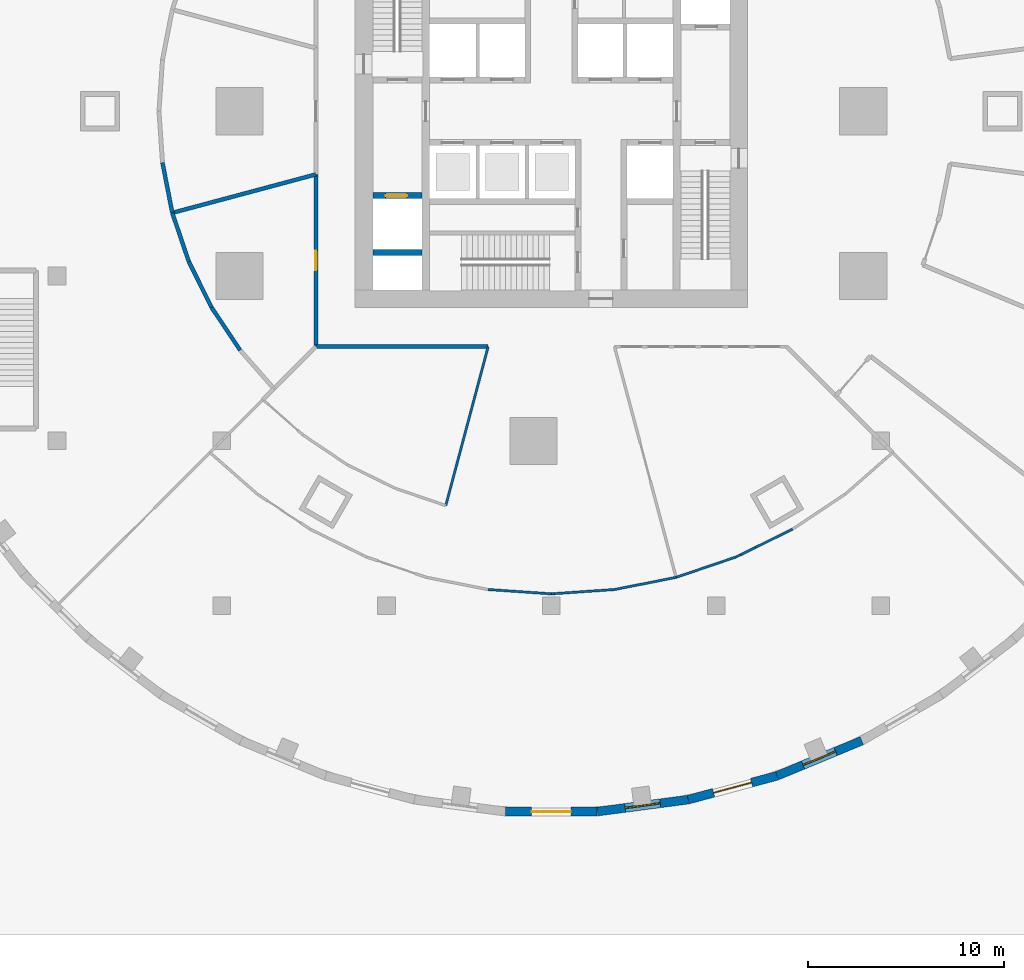
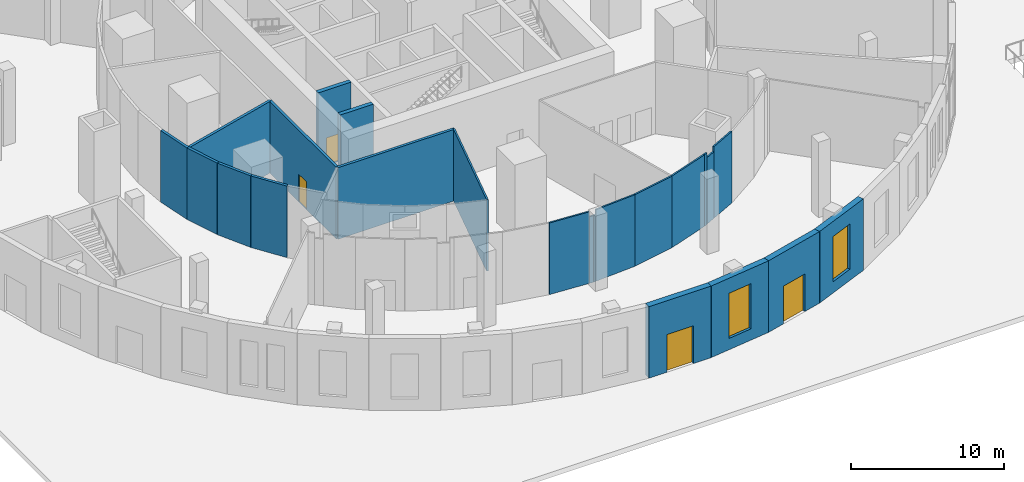
# One storey, part 9 of 19: 23 walls, 4 doors, 2 windows, 6 openings.
"""IFC4 building model written with IfcOpenShell, lengths in metres."""

from ifc_helpers import new_model, si_unit, direction, frame, frame_2d, origin, place, context, subcontext, project, spatial, rectangle, extrude, material, layer, layer_set, type_object, element, fill, save


model = new_model("IFC4")

# Units and contexts
model_context = context("Model", 3, precision=1e-05, world=origin(), true_north=direction((0.0, 1.0)))
body_context = subcontext(model_context, "Body", "Model", "MODEL_VIEW")
ifc_project = project(units=[si_unit("LENGTHUNIT", "METRE"), si_unit("AREAUNIT", "SQUARE_METRE"), si_unit("VOLUMEUNIT", "CUBIC_METRE"), si_unit("PLANEANGLEUNIT", "RADIAN"), si_unit("MASSUNIT", "GRAM", prefix="KILO")], contexts=[model_context])

# Site, building, storey
site_placement = place(None, origin())
site = spatial("IfcSite", under=ifc_project, at=site_placement, CompositionType="ELEMENT")
building_placement = place(site_placement, origin())
building = spatial("IfcBuilding", under=site, at=building_placement, Name="Golbaran Civic Tower", CompositionType="ELEMENT")
storey_placement = place(building_placement, origin())
storey = spatial("IfcBuildingStorey", under=building, at=storey_placement, Name="L00", CompositionType="ELEMENT", Elevation=0.0)

# Walls
ifc_material_1 = material(Name="Glazed screen on steel framing", Category="steel")
ifc_layer_1 = layer(ifc_material_1, 0.1201171875, Name="Glazed screen on steel framing")
ifc_layer_set_1 = layer_set([ifc_layer_1], Name="Glazed screen on steel framing")
wall_type_1 = type_object("IfcWallType", Name="GLAZED SCREEN PARTITION 120", PredefinedType="PARTITIONING", material=ifc_layer_set_1)
wall_1_placement = place(storey_placement, frame((-5.3798828125, -20.10009765625, 0.0), z_axis=(0.0, 0.0, 1.0), x_axis=(0.257649962154, 0.966238323087, 0.0)))
element("IfcWall", 1, at=wall_1_placement, inside=storey, type_object=wall_type_1, Name="Podium partition L00", PredefinedType="PARTITIONING", context=body_context, shape_type="SweptSolid", body=[
    extrude(rectangle(XDim=8.383056640625, YDim=0.1201171875, at=frame_2d((4.19140625, 0.0))), origin(), (0.0, 0.0, 1.0), 5.699951171875),
])
wall_2_placement = place(storey_placement, frame((-3.219970703125, -24.3798828125, 0.0), z_axis=(0.0, 0.0, 1.0), x_axis=(0.997672751552, -0.068184168332, 0.0)))
element("IfcWall", 2, at=wall_2_placement, inside=storey, type_object=wall_type_1, Name="Podium partition L00", PredefinedType="PARTITIONING", context=body_context, shape_type="SweptSolid", body=[
    extrude(rectangle(XDim=2.928955078125, YDim=0.1201171875, at=frame_2d((1.46435546875, 0.0))), origin(), (0.0, 0.0, 1.0), 5.699951171875),
])
wall_3_placement = place(storey_placement, frame((-0.2978515625, -24.57958984375, 0.0), z_axis=(0.0, 0.0, 1.0), x_axis=(0.997638063988, -0.068689833914, 0.0)))
element("IfcWall", 3, at=wall_3_placement, inside=storey, type_object=wall_type_1, Name="Podium partition L00 under the beam over", PredefinedType="PARTITIONING", context=body_context, shape_type="SweptSolid", body=[
    extrude(rectangle(XDim=0.298583984375, YDim=0.1201171875, at=frame_2d((0.1494140625, 0.0))), origin(), (0.0, 0.0, 1.0), 5.300048828125),
])
wall_4_placement = place(storey_placement, frame((0.165771484375, -24.588623046875, 0.0), z_axis=(0.0, 0.0, 1.0), x_axis=(0.997672608774, 0.068186257434, 0.0)))
element("IfcWall", 4, at=wall_4_placement, inside=storey, type_object=wall_type_1, Name="Podium partition L00", PredefinedType="PARTITIONING", context=body_context, shape_type="SweptSolid", body=[
    extrude(rectangle(XDim=3.061279296875, YDim=0.1201171875, at=frame_2d((1.53076171875, 0.0))), origin(), (0.0, 0.0, 1.0), 5.699951171875),
])
wall_5_placement = place(storey_placement, frame((0.0, -24.60009765625, 0.0), z_axis=(0.0, 0.0, 1.0), x_axis=(0.997612909128, 0.069054207259, 0.0)))
element("IfcWall", 5, at=wall_5_placement, inside=storey, type_object=wall_type_1, Name="Podium partition L00 under the beam over", PredefinedType="PARTITIONING", context=body_context, shape_type="SweptSolid", body=[
    extrude(rectangle(XDim=0.166259765625, YDim=0.1201171875, at=frame_2d((0.0830078125, 0.0))), origin(), (0.0, 0.0, 1.0), 5.300048828125),
])
wall_6_placement = place(storey_placement, frame((3.219970703125, -24.3798828125, 0.0), z_axis=(0.0, 0.0, 1.0), x_axis=(0.98106754531, 0.193665876033, 0.0)))
element("IfcWall", 6, at=wall_6_placement, inside=storey, type_object=wall_type_1, Name="Podium partition L00", PredefinedType="PARTITIONING", context=body_context, shape_type="SweptSolid", body=[
    extrude(rectangle(XDim=3.20068359375, YDim=0.1201171875, at=frame_2d((1.600341796875, 0.0))), origin(), (0.0, 0.0, 1.0), 5.699951171875),
])
wall_7_placement = place(storey_placement, frame((6.360107421875, -23.760009765625, 0.0), z_axis=(0.0, 0.0, 1.0), x_axis=(0.946800830057, 0.321820117773, 0.0)))
element("IfcWall", 7, at=wall_7_placement, inside=storey, type_object=wall_type_1, Name="Podium partition L00", PredefinedType="PARTITIONING", context=body_context, shape_type="SweptSolid", body=[
    extrude(rectangle(XDim=3.231689453125, YDim=0.1201171875, at=frame_2d((1.61572265625, 0.0))), origin(), (0.0, 0.0, 1.0), 5.699951171875),
])
wall_8_placement = place(storey_placement, frame((10.408447265625, -22.232666015625, 0.0), z_axis=(0.0, 0.0, 1.0), x_axis=(0.896913641042, 0.442205744551, 0.0)))
element("IfcWall", 8, at=wall_8_placement, inside=storey, type_object=wall_type_1, Name="Podium partition L00", PredefinedType="PARTITIONING", context=body_context, shape_type="SweptSolid", body=[
    extrude(rectangle(XDim=2.109130859375, YDim=0.1201171875, at=frame_2d((1.0546875, 0.0))), origin(), (0.0, 0.0, 1.0), 5.699951171875),
])
wall_9_placement = place(storey_placement, frame((9.65771484375, -22.602783203125, 0.0), z_axis=(0.0, 0.0, 1.0), x_axis=(0.896921584296, 0.442189633103, 0.0)))
element("IfcWall", 9, at=wall_9_placement, inside=storey, type_object=wall_type_1, Name="Podium partition L00 under the beam over", PredefinedType="PARTITIONING", context=body_context, shape_type="SweptSolid", body=[
    extrude(rectangle(XDim=0.8369140625, YDim=0.1201171875, at=frame_2d((0.41845703125, 0.0))), origin(), (0.0, 0.0, 1.0), 5.300048828125),
])
wall_10_placement = place(storey_placement, frame((9.419921875, -22.719970703125, 0.0), z_axis=(0.0, 0.0, 1.0), x_axis=(0.896990941369, 0.442048923878, 0.0)))
element("IfcWall", 10, at=wall_10_placement, inside=storey, type_object=wall_type_1, Name="Podium partition L00 under the beam over", PredefinedType="PARTITIONING", context=body_context, shape_type="SweptSolid", body=[
    extrude(rectangle(XDim=0.26513671875, YDim=0.1201171875, at=frame_2d((0.132568359375, 0.0))), origin(), (0.0, 0.0, 1.0), 5.699951171875),
])
ifc_material_2 = material(Name="Concrete block, plastered", Category="concrete")
ifc_layer_2 = layer(ifc_material_2, 0.199951171875, Name="Concrete block, plastered")
ifc_layer_set_2 = layer_set([ifc_layer_2], Name="Concrete block, plastered")
wall_type_2 = type_object("IfcWallType", Name="PODIUM PARTITION 200", PredefinedType="PARTITIONING", material=ifc_layer_set_2)
wall_11_placement = place(storey_placement, frame((-19.820068359375, -2.6201171875, 0.0), z_axis=(0.0, 0.0, 1.0), x_axis=(0.191703896297, -0.981452808924, 0.0)))
element("IfcWall", 11, at=wall_11_placement, inside=storey, type_object=wall_type_2, Name="Podium partition L00", PredefinedType="PARTITIONING", context=body_context, shape_type="SweptSolid", body=[
    extrude(rectangle(XDim=2.608154296875, YDim=0.199951171875, at=frame_2d((1.30419921875, 0.0))), origin(), (0.0, 0.0, 1.0), 5.699951171875),
])
wall_12_placement = place(storey_placement, frame((-19.320068359375, -5.179931640625, 0.0), z_axis=(0.0, 0.0, 1.0), x_axis=(0.320839411875, -0.947133608203, 0.0)))
element("IfcWall", 12, at=wall_12_placement, inside=storey, type_object=wall_type_2, Name="Podium partition L00", PredefinedType="PARTITIONING", context=body_context, shape_type="SweptSolid", body=[
    extrude(rectangle(XDim=2.618408203125, YDim=0.199951171875, at=frame_2d((1.30908203125, 0.0))), origin(), (0.0, 0.0, 1.0), 5.699951171875),
])
wall_13_placement = place(storey_placement, frame((-19.320068359375, -5.179931640625, 0.0), z_axis=(0.0, 0.0, 1.0), x_axis=(0.965973496734, 0.258641071, 0.0)))
element("IfcWall", 13, at=wall_13_placement, inside=storey, type_object=wall_type_2, Name="Podium partition L00", PredefinedType="PARTITIONING", context=body_context, shape_type="SweptSolid", body=[
    extrude(rectangle(XDim=7.577880859375, YDim=0.199951171875, at=frame_2d((3.7890625, 0.0))), origin(), (0.0, 0.0, 1.0), 5.699951171875),
])
wall_14_placement = place(storey_placement, frame((-18.47998046875, -7.659912109375, 0.0), z_axis=(0.0, 0.0, 1.0), x_axis=(0.444107479291, -0.895973519049, 0.0)))
element("IfcWall", 14, at=wall_14_placement, inside=storey, type_object=wall_type_2, Name="Podium partition L00", PredefinedType="PARTITIONING", context=body_context, shape_type="SweptSolid", body=[
    extrude(rectangle(XDim=2.61181640625, YDim=0.199951171875, at=frame_2d((1.305908203125, 0.0))), origin(), (0.0, 0.0, 1.0), 5.699951171875),
])
wall_15_placement = place(storey_placement, frame((-17.320068359375, -10.0, 0.0), z_axis=(0.0, 0.0, 1.0), x_axis=(0.556459812229, -0.83087452565, 0.0)))
element("IfcWall", 15, at=wall_15_placement, inside=storey, type_object=wall_type_2, Name="Podium partition L00", PredefinedType="PARTITIONING", context=body_context, shape_type="SweptSolid", body=[
    extrude(rectangle(XDim=2.623779296875, YDim=0.199951171875, at=frame_2d((1.31201171875, 0.0))), origin(), (0.0, 0.0, 1.0), 5.699951171875),
])
wall_16_placement = place(storey_placement, frame((-12.0, -12.0, 0.0), z_axis=(0.0, 0.0, 1.0), x_axis=(1.0, 0.0, 0.0)))
element("IfcWall", 16, at=wall_16_placement, inside=storey, type_object=wall_type_2, Name="Podium corridor wall L00", PredefinedType="PARTITIONING", context=body_context, shape_type="SweptSolid", body=[
    extrude(rectangle(XDim=8.78466796875, YDim=0.199951171875, at=frame_2d((4.392333984375, 0.0))), origin(), (0.0, 0.0, 1.0), 5.699951171875),
])

# Wall, opening, door
wall_17_placement = place(storey_placement, frame((-12.0, -3.21533203125, 0.0), z_axis=(0.0, 0.0, 1.0), x_axis=(0.0, -1.0, 0.0)))
wall_17 = element("IfcWall", 17, at=wall_17_placement, inside=storey, type_object=wall_type_2, Name="Podium corridor wall L00", PredefinedType="PARTITIONING", context=body_context, shape_type="SweptSolid", body=[
    extrude(rectangle(XDim=8.78466796875, YDim=0.199951171875, at=frame_2d((4.392333984375, 0.0))), origin(), (0.0, 0.0, 1.0), 5.699951171875),
])
opening_1_placement = place(wall_17_placement, frame((3.892333984375, 0.0, 0.0)))
opening_1 = element("IfcOpeningElement", 18, at=opening_1_placement, cuts=wall_17, Name="Opening L00.03", PredefinedType="OPENING", context=body_context, shape_type="SweptSolid", body=[
    extrude(rectangle(XDim=1.0, YDim=2.199951171875, at=frame_2d((0.5, 1.10009765625))), frame((0.0, 0.10986328125, 0.0), z_axis=(0.0, -1.0, 0.0), x_axis=(1.0, 0.0, 0.0)), (0.0, 0.0, 1.0), 0.219970703125),
])
ifc_material_3 = material(Name="Timber door set in steel frame", Category="steel")
door_type_1 = type_object("IfcDoorType", Name="OFFICE DOOR 1000x2200", OperationType="SINGLE_SWING_LEFT", PredefinedType="DOOR", material=ifc_material_3)
door_1_placement = place(opening_1_placement, origin())
door_1 = element("IfcDoor", 19, at=door_1_placement, inside=storey, type_object=door_type_1, Name="Visitor Information door", OperationType="SINGLE_SWING_RIGHT", OverallHeight=2.199951171875, OverallWidth=1.0, PredefinedType="DOOR", context=body_context, shape_type="SweptSolid", body=[
    extrude(rectangle(XDim=1.0, YDim=2.199951171875, at=frame_2d((0.5, 1.10009765625))), frame((0.0, 0.02490234375, 0.0), z_axis=(0.0, -1.0, 0.0), x_axis=(1.0, 0.0, 0.0)), (0.0, 0.0, 1.0), 0.050048828125),
])
fill(opening_1, door_1)

ifc_material_4 = material(Name="Concrete C50/60", Category="concrete")
ifc_layer_3 = layer(ifc_material_4, 0.300048828125, Name="Concrete C50/60")
ifc_layer_set_3 = layer_set([ifc_layer_3], Name="Concrete C50/60")
wall_type_3 = type_object("IfcWallType", Name="SHAFT WALL CONCRETE 300", PredefinedType="SOLIDWALL", material=ifc_layer_set_3)
wall_18_placement = place(storey_placement, frame((-9.10009765625, -4.300048828125, 0.0), z_axis=(0.0, 0.0, 1.0), x_axis=(1.0, 0.0, 0.0)))
wall_18 = element("IfcWall", 20, at=wall_18_placement, inside=storey, type_object=wall_type_3, Name="Core wall XW2 L00", PredefinedType="SOLIDWALL", context=body_context, shape_type="SweptSolid", body=[
    extrude(rectangle(XDim=2.5, YDim=0.300048828125, at=frame_2d((1.25, 0.0))), origin(), (0.0, 0.0, 1.0), 6.0),
])
opening_2_placement = place(wall_18_placement, frame((0.64990234375, 0.0, 0.0)))
opening_2 = element("IfcOpeningElement", 21, at=opening_2_placement, cuts=wall_18, Name="Opening L00.LD-F1", PredefinedType="OPENING", context=body_context, shape_type="SweptSolid", body=[
    extrude(rectangle(XDim=1.10009765625, YDim=2.199951171875, at=frame_2d((0.550048828125, 1.10009765625))), frame((0.0, 0.159912109375, 0.0), z_axis=(0.0, -1.0, 0.0), x_axis=(1.0, 0.0, 0.0)), (0.0, 0.0, 1.0), 0.320068359375),
])
ifc_material_5 = material(Name="Stainless steel", Category="steel")
door_type_2 = type_object("IfcDoorType", Name="LIFT LANDING DOOR 1100x2200", OperationType="SLIDING_TO_LEFT", PredefinedType="DOOR", material=ifc_material_5)
door_2_placement = place(opening_2_placement, origin())
door_2 = element("IfcDoor", 22, at=door_2_placement, inside=storey, type_object=door_type_2, Name="Lift landing door F1", OperationType="SLIDING_TO_LEFT", OverallHeight=2.199951171875, OverallWidth=1.10009765625, PredefinedType="DOOR", context=body_context, shape_type="SweptSolid", body=[
    extrude(rectangle(XDim=1.10009765625, YDim=2.199951171875, at=frame_2d((0.550048828125, 1.10009765625))), frame((0.0, 0.02490234375, 0.0), z_axis=(0.0, -1.0, 0.0), x_axis=(1.0, 0.0, 0.0)), (0.0, 0.0, 1.0), 0.050048828125),
])
fill(opening_2, door_2)

# Wall
wall_19_placement = place(storey_placement, frame((-9.10009765625, -7.199951171875, 0.0), z_axis=(0.0, 0.0, 1.0), x_axis=(1.0, 0.0, 0.0)))
element("IfcWall", 23, at=wall_19_placement, inside=storey, type_object=wall_type_3, Name="Core wall XW3 L00", PredefinedType="SOLIDWALL", context=body_context, shape_type="SweptSolid", body=[
    extrude(rectangle(XDim=2.5, YDim=0.300048828125, at=frame_2d((1.25, 0.0))), origin(), (0.0, 0.0, 1.0), 6.0),
])

# Wall, opening, door
ifc_material_6 = material(Name="Terracotta brick", Category="masonry")
ifc_layer_4 = layer(ifc_material_6, 0.449951171875, Name="Terracotta brick")
ifc_layer_set_4 = layer_set([ifc_layer_4], Name="Terracotta brick")
wall_type_4 = type_object("IfcWallType", Name="TERRACOTTA BRICK FACADE WALL 450", PredefinedType="SOLIDWALL", material=ifc_layer_set_4)
wall_20_placement = place(storey_placement, frame((-2.33984375, -35.698486328125, 0.0), z_axis=(0.0, 0.0, 1.0), x_axis=(1.0, 0.0, 0.0)))
wall_20 = element("IfcWall", 24, at=wall_20_placement, inside=storey, type_object=wall_type_4, Name="Podium wall L00 facet 36", PredefinedType="SOLIDWALL", context=body_context, shape_type="SweptSolid", body=[
    extrude(rectangle(XDim=4.6796875, YDim=0.449951171875, at=frame_2d((2.33984375, 0.0))), origin(), (0.0, 0.0, 1.0), 5.699951171875),
])
opening_3_placement = place(wall_20_placement, frame((1.33984375, 0.0, 0.0)))
opening_3 = element("IfcOpeningElement", 25, at=opening_3_placement, cuts=wall_20, Name="Opening L00.13", PredefinedType="OPENING", context=body_context, shape_type="SweptSolid", body=[
    extrude(rectangle(XDim=2.0, YDim=3.0, at=frame_2d((1.0, 1.5))), frame((0.0, 0.23486328125, 0.0), z_axis=(0.0, -1.0, 0.0), x_axis=(1.0, 0.0, 0.0)), (0.0, 0.0, 1.0), 0.469970703125),
])
ifc_material_7 = material(Name="Bronze-finished aluminium and glass", Category="aluminium")
door_type_3 = type_object("IfcDoorType", Name="ENTRANCE DOOR 2000x3000", OperationType="DOUBLE_DOOR_SINGLE_SWING", PredefinedType="DOOR", material=ifc_material_7)
door_3_placement = place(opening_3_placement, frame((2.0, 0.0, 0.0), z_axis=(0.0, 0.0, 1.0), x_axis=(-1.0, 0.0, 0.0)))
door_3 = element("IfcDoor", 26, at=door_3_placement, inside=storey, type_object=door_type_3, Name="Main Entrance door", OperationType="DOUBLE_DOOR_SINGLE_SWING", OverallHeight=3.0, OverallWidth=2.0, PredefinedType="DOOR", context=body_context, shape_type="SweptSolid", body=[
    extrude(rectangle(XDim=2.0, YDim=3.0, at=frame_2d((1.0, 1.5))), frame((0.0, 0.02490234375, 0.0), z_axis=(0.0, -1.0, 0.0), x_axis=(1.0, 0.0, 0.0)), (0.0, 0.0, 1.0), 0.050048828125),
])
fill(opening_3, door_3)

# Wall, opening, window
wall_21_placement = place(storey_placement, frame((2.33984375, -35.698486328125, 0.0), z_axis=(0.0, 0.0, 1.0), x_axis=(0.991443459746, 0.130536838198, 0.0)))
wall_21 = element("IfcWall", 27, at=wall_21_placement, inside=storey, type_object=wall_type_4, Name="Podium wall L00 facet 37", PredefinedType="SOLIDWALL", context=body_context, shape_type="SweptSolid", body=[
    extrude(rectangle(XDim=4.679443359375, YDim=0.449951171875, at=frame_2d((2.33984375, 0.0))), origin(), (0.0, 0.0, 1.0), 5.699951171875),
])
opening_4_placement = place(wall_21_placement, frame((1.439697265625, 0.0, 0.89990234375)))
opening_4 = element("IfcOpeningElement", 28, at=opening_4_placement, cuts=wall_21, Name="Opening L00.W26", PredefinedType="OPENING", context=body_context, shape_type="SweptSolid", body=[
    extrude(rectangle(XDim=1.800048828125, YDim=3.60009765625, at=frame_2d((0.89990234375, 1.800048828125))), frame((0.0, 0.23486328125, 0.0), z_axis=(0.0, -1.0, 0.0), x_axis=(1.0, 0.0, 0.0)), (0.0, 0.0, 1.0), 0.469970703125),
])
ifc_material_8 = material(Name="Aluminium frame, clear glass", Category="aluminium")
window_type = type_object("IfcWindowType", Name="PODIUM WINDOW 1800x3600", PartitioningType="SINGLE_PANEL", PredefinedType="WINDOW", material=ifc_material_8)
window_1_placement = place(opening_4_placement, origin())
window_1 = element("IfcWindow", 29, at=window_1_placement, inside=storey, type_object=window_type, Name="Podium window L00 facet 37", OverallHeight=3.60009765625, OverallWidth=1.800048828125, PartitioningType="SINGLE_PANEL", PredefinedType="WINDOW", context=body_context, shape_type="SweptSolid", body=[
    extrude(rectangle(XDim=1.800048828125, YDim=3.60009765625, at=frame_2d((0.89990234375, 1.800048828125))), frame((0.0, 0.030029296875, 0.0), z_axis=(0.0, -1.0, 0.0), x_axis=(1.0, 0.0, 0.0)), (0.0, 0.0, 1.0), 0.06005859375),
])
fill(opening_4, window_1)

# Wall, opening, door
wall_22_placement = place(storey_placement, frame((6.979248046875, -35.087646484375, 0.0), z_axis=(0.0, 0.0, 1.0), x_axis=(0.965926860523, 0.258815185258, 0.0)))
wall_22 = element("IfcWall", 30, at=wall_22_placement, inside=storey, type_object=wall_type_4, Name="Podium wall L00 facet 38", PredefinedType="SOLIDWALL", context=body_context, shape_type="SweptSolid", body=[
    extrude(rectangle(XDim=4.6796875, YDim=0.449951171875, at=frame_2d((2.33984375, 0.0))), origin(), (0.0, 0.0, 1.0), 5.699951171875),
])
opening_5_placement = place(wall_22_placement, frame((1.33984375, 0.0, 0.0)))
opening_5 = element("IfcOpeningElement", 31, at=opening_5_placement, cuts=wall_22, Name="Opening L00.14", PredefinedType="OPENING", context=body_context, shape_type="SweptSolid", body=[
    extrude(rectangle(XDim=2.0, YDim=3.0, at=frame_2d((1.0, 1.5))), frame((0.0, 0.23486328125, 0.0), z_axis=(0.0, -1.0, 0.0), x_axis=(1.0, 0.0, 0.0)), (0.0, 0.0, 1.0), 0.469970703125),
])
door_4_placement = place(opening_5_placement, frame((2.0, 0.0, 0.0), z_axis=(0.0, 0.0, 1.0), x_axis=(-1.0, 0.0, 0.0)))
door_4 = element("IfcDoor", 32, at=door_4_placement, inside=storey, type_object=door_type_3, Name="Entrance door", OperationType="DOUBLE_DOOR_SINGLE_SWING", OverallHeight=3.0, OverallWidth=2.0, PredefinedType="DOOR", context=body_context, shape_type="SweptSolid", body=[
    extrude(rectangle(XDim=2.0, YDim=3.0, at=frame_2d((1.0, 1.5))), frame((0.0, 0.02490234375, 0.0), z_axis=(0.0, -1.0, 0.0), x_axis=(1.0, 0.0, 0.0)), (0.0, 0.0, 1.0), 0.050048828125),
])
fill(opening_5, door_4)

# Wall, opening, window
wall_23_placement = place(storey_placement, frame((11.49951171875, -33.87646484375, 0.0), z_axis=(0.0, 0.0, 1.0), x_axis=(0.923885213032, 0.382669718086, 0.0)))
wall_23 = element("IfcWall", 33, at=wall_23_placement, inside=storey, type_object=wall_type_4, Name="Podium wall L00 facet 39", PredefinedType="SOLIDWALL", context=body_context, shape_type="SweptSolid", body=[
    extrude(rectangle(XDim=4.6796875, YDim=0.449951171875, at=frame_2d((2.33984375, 0.0))), origin(), (0.0, 0.0, 1.0), 5.699951171875),
])
opening_6_placement = place(wall_23_placement, frame((1.439697265625, 0.0, 0.89990234375)))
opening_6 = element("IfcOpeningElement", 34, at=opening_6_placement, cuts=wall_23, Name="Opening L00.W27", PredefinedType="OPENING", context=body_context, shape_type="SweptSolid", body=[
    extrude(rectangle(XDim=1.800048828125, YDim=3.60009765625, at=frame_2d((0.89990234375, 1.800048828125))), frame((0.0, 0.23486328125, 0.0), z_axis=(0.0, -1.0, 0.0), x_axis=(1.0, 0.0, 0.0)), (0.0, 0.0, 1.0), 0.469970703125),
])
window_2_placement = place(opening_6_placement, origin())
window_2 = element("IfcWindow", 35, at=window_2_placement, inside=storey, type_object=window_type, Name="Podium window L00 facet 39", OverallHeight=3.60009765625, OverallWidth=1.800048828125, PartitioningType="SINGLE_PANEL", PredefinedType="WINDOW", context=body_context, shape_type="SweptSolid", body=[
    extrude(rectangle(XDim=1.800048828125, YDim=3.60009765625, at=frame_2d((0.89990234375, 1.800048828125))), frame((0.0, 0.030029296875, 0.0), z_axis=(0.0, -1.0, 0.0), x_axis=(1.0, 0.0, 0.0)), (0.0, 0.0, 1.0), 0.06005859375),
])
fill(opening_6, window_2)

save(model, "model.ifc")
